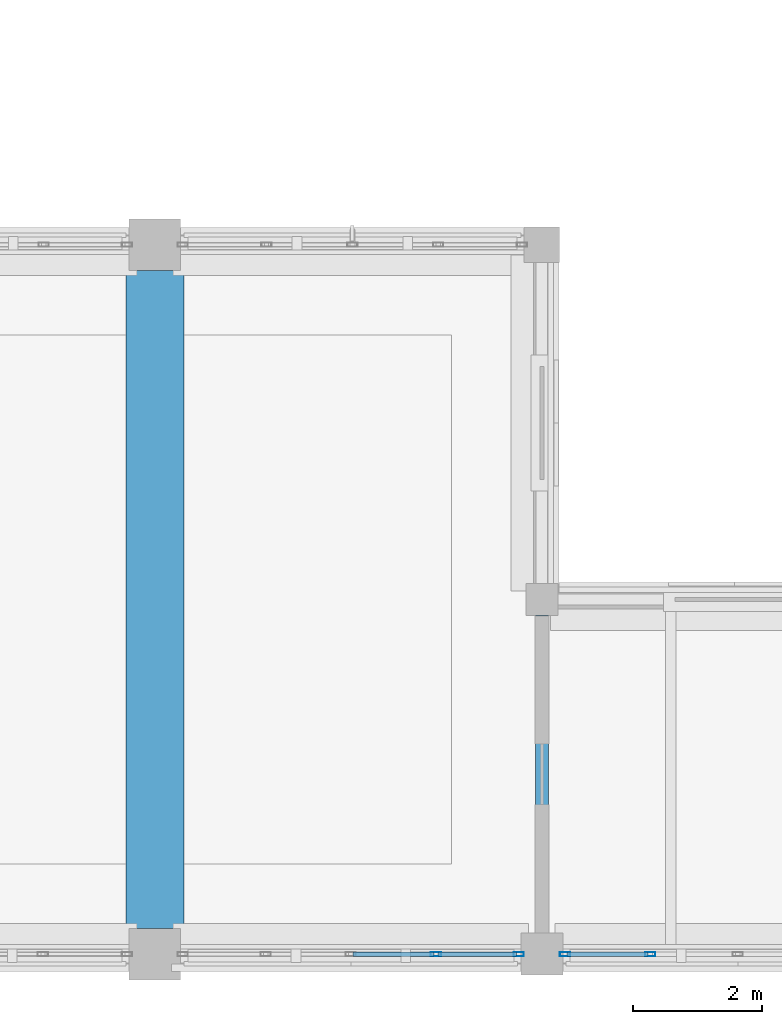
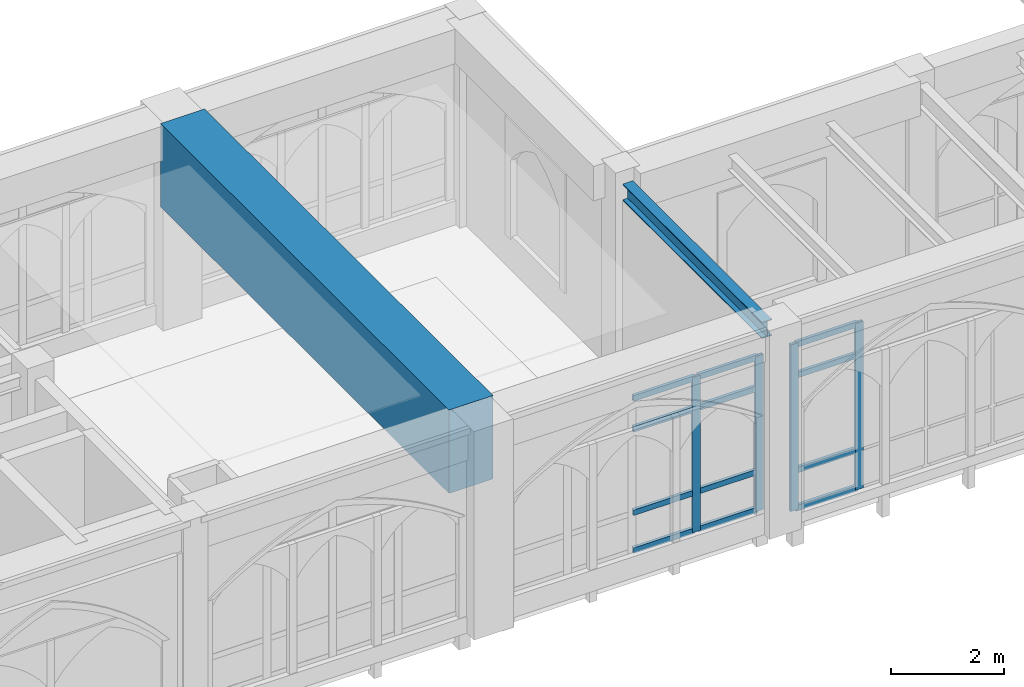
# One storey, part 14 of 127: 16 members, 2 beams, 2 elements without a shape of their own.
"""IFC4 building model written with IfcOpenShell, lengths in metres."""

from ifc_helpers import new_model, si_unit, direction, frame, origin, origin_2d, place, context, subcontext, project, spatial, rectangle, hollow_rectangle, i_section, extrude, material, layer, layer_set, material_profile, profile_set, type_object, element, aggregate, save


model = new_model("IFC4")

# Units and contexts
model_context = context("Model", 3, precision=1e-05, world=origin(), true_north=direction((0.0, 1.0)))
body_context = subcontext(model_context, "Body", "Model", "MODEL_VIEW")
ifc_project = project(units=[si_unit("LENGTHUNIT", "METRE"), si_unit("AREAUNIT", "SQUARE_METRE"), si_unit("VOLUMEUNIT", "CUBIC_METRE"), si_unit("PLANEANGLEUNIT", "RADIAN"), si_unit("MASSUNIT", "GRAM", prefix="KILO")], contexts=[model_context])

# Site, building, storey
site_placement = place(None, origin())
site = spatial("IfcSite", under=ifc_project, at=site_placement, CompositionType="ELEMENT")
building_placement = place(site_placement, origin())
building = spatial("IfcBuilding", under=site, at=building_placement, Name="Cumevento Cable Car Station", CompositionType="ELEMENT")
storey_placement = place(building_placement, frame((0.0, 0.0, 4.5)))
storey = spatial("IfcBuildingStorey", under=building, at=storey_placement, Name="L02", CompositionType="ELEMENT", Elevation=4.5)

# Curtain wall, members
ifc_material_1 = material(Name="Anodised Bronze Aluminium AW-6063-T6", Category="aluminium")
ifc_layer_1 = layer(ifc_material_1, 0.196044921875)
ifc_layer_set_1 = layer_set([ifc_layer_1], Name="Anodised Bronze Aluminium AW-6063-T6")
curtain_wall_type_1 = type_object("IfcCurtainWallType", Name="Lancet Curtain Wall CW-07 1290", PredefinedType="NOTDEFINED", material=ifc_layer_set_1)
curtain_wall_1_placement = place(storey_placement, origin())
curtain_wall_1 = element("IfcCurtainWall", 1, at=curtain_wall_1_placement, inside=storey, type_object=curtain_wall_type_1, Name="Lancet Curtain Wall CW-07 L02 #22", PredefinedType="NOTDEFINED")
ifc_material_2 = material(Name="Anodised Bronze Aluminium AW-6063-T6", Category="aluminium")
ifc_material_profile_1 = material_profile(ifc_material_2, hollow_rectangle(XDim=0.06494140625, YDim=0.159912109375, WallThickness=0.00390625, at=origin_2d()), Name="ALUM65x160x4")
ifc_profile_set_1 = profile_set([ifc_material_profile_1], Name="Anodised Bronze Aluminium AW-6063-T6")
member_type_1 = type_object("IfcMemberType", Name="Curtain Mullion CWM-01 ALUM65x160x4", PredefinedType="MULLION", material=ifc_profile_set_1)
member_1_placement = place(storey_placement, frame((45.642578125, 4.0, 0.4599609375), z_axis=(0.0, 0.0, 1.0), x_axis=(0.0, -1.0, 0.0)))
member_1 = element("IfcMember", 2, at=member_1_placement, type_object=member_type_1, Name="CW-07 mullion 1", PredefinedType="MULLION", context=body_context, shape_type="SweptSolid", body=[
    extrude(hollow_rectangle(XDim=0.06494140625, YDim=0.159912109375, WallThickness=0.00390625, at=origin_2d()), origin(), (0.0, 0.0, 1.0), 3.34912109375),
])
member_2_placement = place(storey_placement, frame((44.356201171875, 4.0, 0.4599609375), z_axis=(0.0, 0.0, 1.0), x_axis=(0.0, -1.0, 0.0)))
member_2 = element("IfcMember", 3, at=member_2_placement, type_object=member_type_1, Name="CW-07 mullion 2", PredefinedType="MULLION", context=body_context, shape_type="SweptSolid", body=[
    extrude(hollow_rectangle(XDim=0.06494140625, YDim=0.159912109375, WallThickness=0.00390625, at=origin_2d()), origin(), (0.0, 0.0, 1.0), 3.34912109375),
])

ifc_material_3 = material(Name="Anodised Bronze Aluminium AW-6063-T6", Category="aluminium")
ifc_layer_2 = layer(ifc_material_3, 0.214111328125)
ifc_layer_set_2 = layer_set([ifc_layer_2], Name="Anodised Bronze Aluminium AW-6063-T6")
curtain_wall_type_2 = type_object("IfcCurtainWallType", Name="Lancet Curtain Wall CW-10 1410", PredefinedType="NOTDEFINED", material=ifc_layer_set_2)
curtain_wall_2_placement = place(storey_placement, origin())
curtain_wall_2 = element("IfcCurtainWall", 4, at=curtain_wall_2_placement, inside=storey, type_object=curtain_wall_type_2, Name="Lancet Curtain Wall CW-10 L02 #25", PredefinedType="NOTDEFINED")
member_3_placement = place(storey_placement, frame((47.68115234375, 4.0, 0.2099609375), z_axis=(0.0, 0.0, 1.0), x_axis=(0.0, -1.0, 0.0)))
member_3 = element("IfcMember", 5, at=member_3_placement, type_object=member_type_1, Name="CW-10 mullion 4", PredefinedType="MULLION", context=body_context, shape_type="SweptSolid", body=[
    extrude(hollow_rectangle(XDim=0.06494140625, YDim=0.159912109375, WallThickness=0.00390625, at=origin_2d()), origin(), (0.0, 0.0, 1.0), 3.59912109375),
])
member_4_placement = place(storey_placement, frame((46.357421875, 4.0, 0.2099609375), z_axis=(0.0, 0.0, 1.0), x_axis=(0.0, -1.0, 0.0)))
member_4 = element("IfcMember", 6, at=member_4_placement, type_object=member_type_1, Name="CW-10 mullion 5", PredefinedType="MULLION", context=body_context, shape_type="SweptSolid", body=[
    extrude(hollow_rectangle(XDim=0.06494140625, YDim=0.159912109375, WallThickness=0.00390625, at=origin_2d()), origin(), (0.0, 0.0, 1.0), 3.59912109375),
])

# Member
ifc_material_4 = material(Name="Anodised Bronze Aluminium AW-6063-T6", Category="aluminium")
ifc_material_profile_2 = material_profile(ifc_material_4, hollow_rectangle(XDim=0.06494140625, YDim=0.1201171875, WallThickness=0.00390625, at=origin_2d()), Name="ALUT65x120x4")
ifc_profile_set_2 = profile_set([ifc_material_profile_2], Name="Anodised Bronze Aluminium AW-6063-T6")
member_type_2 = type_object("IfcMemberType", Name="Curtain Transom CWT-01 ALUT65x120x4", PredefinedType="USERDEFINED", material=ifc_profile_set_2)
member_5_placement = place(storey_placement, frame((45.610107421875, 4.0, 0.492431640625), z_axis=(-1.0, 0.0, 0.0), x_axis=(0.0, -1.0, 0.0)))
member_5 = element("IfcMember", 7, at=member_5_placement, type_object=member_type_2, Name="CW-07 transom 1.1", ObjectType="TRANSOM", PredefinedType="USERDEFINED", context=body_context, shape_type="SweptSolid", body=[
    extrude(hollow_rectangle(XDim=0.06494140625, YDim=0.1201171875, WallThickness=0.00390625, at=origin_2d()), origin(), (0.0, 0.0, 1.0), 1.221435546875),
])

member_6_placement = place(storey_placement, frame((45.610107421875, 4.0, 1.31005859375), z_axis=(-1.0, 0.0, 0.0), x_axis=(0.0, -1.0, 0.0)))
member_6 = element("IfcMember", 8, at=member_6_placement, type_object=member_type_2, Name="CW-07 transom 1.2", ObjectType="TRANSOM", PredefinedType="USERDEFINED", context=body_context, shape_type="SweptSolid", body=[
    extrude(hollow_rectangle(XDim=0.06494140625, YDim=0.1201171875, WallThickness=0.00390625, at=origin_2d()), origin(), (0.0, 0.0, 1.0), 1.221435546875),
])

member_7_placement = place(storey_placement, frame((45.610107421875, 4.0, 3.10888671875), z_axis=(-1.0, 0.0, 0.0), x_axis=(0.0, -1.0, 0.0)))
member_7 = element("IfcMember", 9, at=member_7_placement, type_object=member_type_2, Name="CW-07 transom 1.3", ObjectType="TRANSOM", PredefinedType="USERDEFINED", context=body_context, shape_type="SweptSolid", body=[
    extrude(hollow_rectangle(XDim=0.06494140625, YDim=0.1201171875, WallThickness=0.00390625, at=origin_2d()), origin(), (0.0, 0.0, 1.0), 1.221435546875),
])

member_8_placement = place(storey_placement, frame((45.610107421875, 4.0, 3.776611328125), z_axis=(-1.0, 0.0, 0.0), x_axis=(0.0, -1.0, 0.0)))
member_8 = element("IfcMember", 10, at=member_8_placement, type_object=member_type_2, Name="CW-07 transom 1.4", ObjectType="TRANSOM", PredefinedType="USERDEFINED", context=body_context, shape_type="SweptSolid", body=[
    extrude(hollow_rectangle(XDim=0.06494140625, YDim=0.1201171875, WallThickness=0.00390625, at=origin_2d()), origin(), (0.0, 0.0, 1.0), 1.221435546875),
])

member_9_placement = place(storey_placement, frame((44.32373046875, 4.0, 0.492431640625), z_axis=(-1.0, 0.0, 0.0), x_axis=(0.0, -1.0, 0.0)))
member_9 = element("IfcMember", 11, at=member_9_placement, type_object=member_type_2, Name="CW-07 transom 2.1", ObjectType="TRANSOM", PredefinedType="USERDEFINED", context=body_context, shape_type="SweptSolid", body=[
    extrude(hollow_rectangle(XDim=0.06494140625, YDim=0.1201171875, WallThickness=0.00390625, at=origin_2d()), origin(), (0.0, 0.0, 1.0), 1.253662109375),
])

member_10_placement = place(storey_placement, frame((44.32373046875, 4.0, 1.31005859375), z_axis=(-1.0, 0.0, 0.0), x_axis=(0.0, -1.0, 0.0)))
member_10 = element("IfcMember", 12, at=member_10_placement, type_object=member_type_2, Name="CW-07 transom 2.2", ObjectType="TRANSOM", PredefinedType="USERDEFINED", context=body_context, shape_type="SweptSolid", body=[
    extrude(hollow_rectangle(XDim=0.06494140625, YDim=0.1201171875, WallThickness=0.00390625, at=origin_2d()), origin(), (0.0, 0.0, 1.0), 1.253662109375),
])

member_11_placement = place(storey_placement, frame((44.32373046875, 4.0, 3.10888671875), z_axis=(-1.0, 0.0, 0.0), x_axis=(0.0, -1.0, 0.0)))
member_11 = element("IfcMember", 13, at=member_11_placement, type_object=member_type_2, Name="CW-07 transom 2.3", ObjectType="TRANSOM", PredefinedType="USERDEFINED", context=body_context, shape_type="SweptSolid", body=[
    extrude(hollow_rectangle(XDim=0.06494140625, YDim=0.1201171875, WallThickness=0.00390625, at=origin_2d()), origin(), (0.0, 0.0, 1.0), 1.253662109375),
])

member_12_placement = place(storey_placement, frame((44.32373046875, 4.0, 3.776611328125), z_axis=(-1.0, 0.0, 0.0), x_axis=(0.0, -1.0, 0.0)))
member_12 = element("IfcMember", 14, at=member_12_placement, type_object=member_type_2, Name="CW-07 transom 2.4", ObjectType="TRANSOM", PredefinedType="USERDEFINED", context=body_context, shape_type="SweptSolid", body=[
    extrude(hollow_rectangle(XDim=0.06494140625, YDim=0.1201171875, WallThickness=0.00390625, at=origin_2d()), origin(), (0.0, 0.0, 1.0), 1.253662109375),
])

aggregate(curtain_wall_1, [member_1, member_2, member_5, member_6, member_7, member_8, member_9, member_10, member_11, member_12])

member_13_placement = place(storey_placement, frame((47.648681640625, 4.0, 0.242431640625), z_axis=(-1.0, 0.0, 0.0), x_axis=(0.0, -1.0, 0.0)))
member_13 = element("IfcMember", 15, at=member_13_placement, type_object=member_type_2, Name="CW-10 transom 4.1", ObjectType="TRANSOM", PredefinedType="USERDEFINED", context=body_context, shape_type="SweptSolid", body=[
    extrude(hollow_rectangle(XDim=0.06494140625, YDim=0.1201171875, WallThickness=0.00390625, at=origin_2d()), origin(), (0.0, 0.0, 1.0), 1.2587890625),
])

member_14_placement = place(storey_placement, frame((47.648681640625, 4.0, 1.06005859375), z_axis=(-1.0, 0.0, 0.0), x_axis=(0.0, -1.0, 0.0)))
member_14 = element("IfcMember", 16, at=member_14_placement, type_object=member_type_2, Name="CW-10 transom 4.2", ObjectType="TRANSOM", PredefinedType="USERDEFINED", context=body_context, shape_type="SweptSolid", body=[
    extrude(hollow_rectangle(XDim=0.06494140625, YDim=0.1201171875, WallThickness=0.00390625, at=origin_2d()), origin(), (0.0, 0.0, 1.0), 1.2587890625),
])

member_15_placement = place(storey_placement, frame((47.648681640625, 4.0, 3.10888671875), z_axis=(-1.0, 0.0, 0.0), x_axis=(0.0, -1.0, 0.0)))
member_15 = element("IfcMember", 17, at=member_15_placement, type_object=member_type_2, Name="CW-10 transom 4.3", ObjectType="TRANSOM", PredefinedType="USERDEFINED", context=body_context, shape_type="SweptSolid", body=[
    extrude(hollow_rectangle(XDim=0.06494140625, YDim=0.1201171875, WallThickness=0.00390625, at=origin_2d()), origin(), (0.0, 0.0, 1.0), 1.2587890625),
])

member_16_placement = place(storey_placement, frame((47.648681640625, 4.0, 3.776611328125), z_axis=(-1.0, 0.0, 0.0), x_axis=(0.0, -1.0, 0.0)))
member_16 = element("IfcMember", 18, at=member_16_placement, type_object=member_type_2, Name="CW-10 transom 4.4", ObjectType="TRANSOM", PredefinedType="USERDEFINED", context=body_context, shape_type="SweptSolid", body=[
    extrude(hollow_rectangle(XDim=0.06494140625, YDim=0.1201171875, WallThickness=0.00390625, at=origin_2d()), origin(), (0.0, 0.0, 1.0), 1.2587890625),
])

aggregate(curtain_wall_2, [member_3, member_4, member_13, member_14, member_15, member_16])

# Beams
ifc_material_5 = material(Name="Steel ASTM A572 Grade 50", Category="steel")
ifc_material_profile_3 = material_profile(ifc_material_5, i_section(OverallWidth=0.205078125, OverallDepth=0.35400390625, WebThickness=0.009521484375, FlangeThickness=0.016845703125, at=origin_2d()), Name="W360x79.0")
ifc_profile_set_3 = profile_set([ifc_material_profile_3], Name="Steel ASTM A572 Grade 50")
beam_type_1 = type_object("IfcBeamType", Name="Structural Beam BM-05 W360x79.0", PredefinedType="BEAM", material=ifc_profile_set_3)
beam_1_placement = place(storey_placement, frame((46.0, 4.324951171875, 4.0390625), z_axis=(0.0, 1.0, 0.0), x_axis=(-1.0, 0.0, 0.0)))
element("IfcBeam", 19, at=beam_1_placement, inside=storey, type_object=beam_type_1, Name="Beam BM-05 L02 #447", PredefinedType="BEAM", context=body_context, shape_type="SweptSolid", body=[
    extrude(i_section(OverallWidth=0.205078125, OverallDepth=0.35400390625, WebThickness=0.009521484375, FlangeThickness=0.016845703125, at=origin_2d()), origin(), (0.0, 0.0, 1.0), 4.925048828125),
])
ifc_material_6 = material(Name="Concrete C50/60", Category="concrete")
ifc_material_profile_4 = material_profile(ifc_material_6, rectangle(XDim=0.89990234375, YDim=1.800048828125, at=origin_2d()), Name="RC900x1800")
ifc_profile_set_4 = profile_set([ifc_material_profile_4], Name="Concrete C50/60")
beam_type_2 = type_object("IfcBeamType", Name="Structural Beam TG-01 RC900x1800", PredefinedType="BEAM", material=ifc_profile_set_4)
beam_2_placement = place(storey_placement, frame((40.0, 4.39990234375, 3.60009765625), z_axis=(0.0, 1.0, 0.0), x_axis=(-1.0, 0.0, 0.0)))
element("IfcBeam", 20, at=beam_2_placement, inside=storey, type_object=beam_type_2, Name="Clear-Span Transfer Girder TG-01 (C50/60 900x1800)", PredefinedType="BEAM", context=body_context, shape_type="SweptSolid", body=[
    extrude(rectangle(XDim=0.89990234375, YDim=1.800048828125, at=origin_2d()), origin(), (0.0, 0.0, 1.0), 10.2001953125),
])

save(model, "model.ifc")
